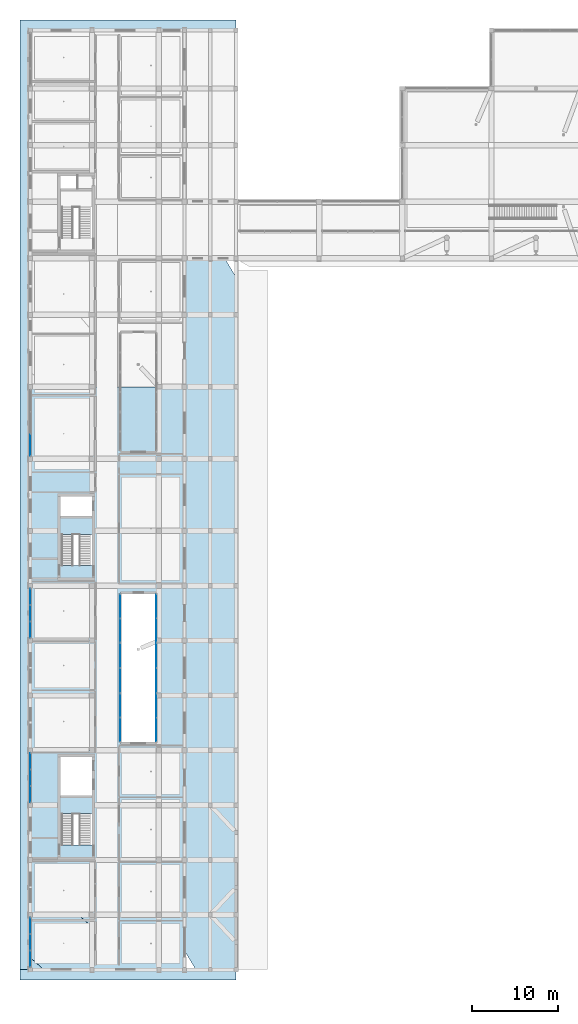
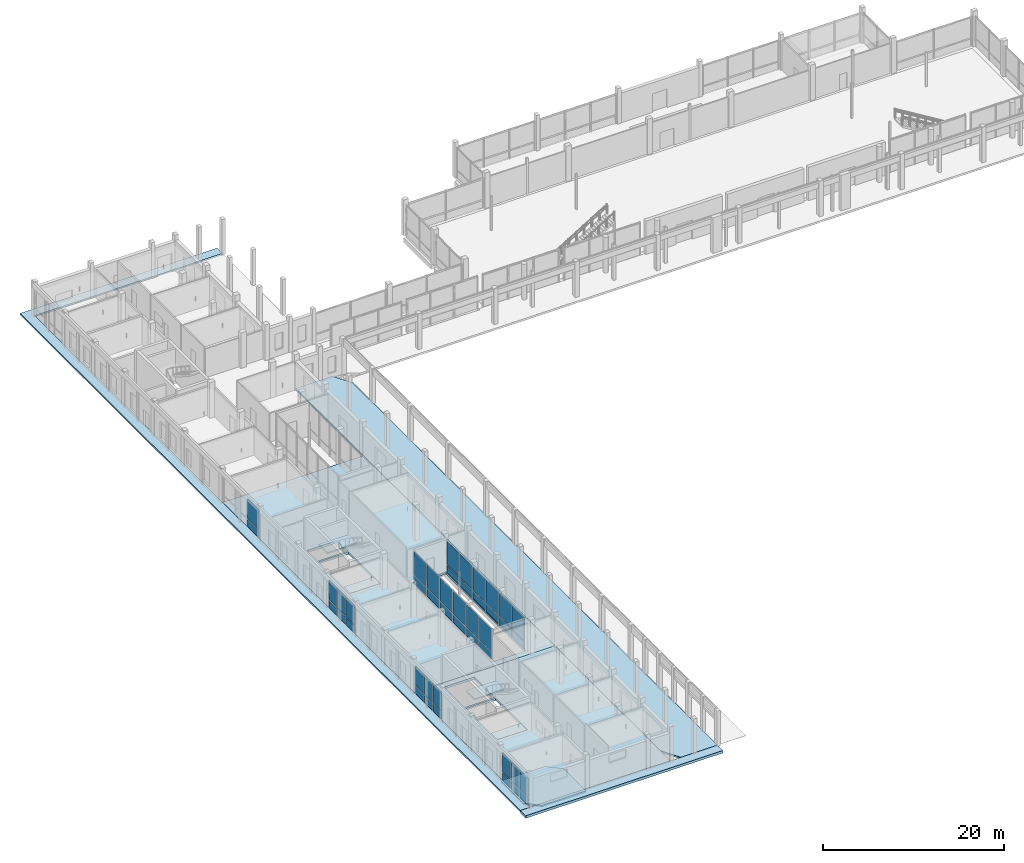
# One storey, part 40 of 88: 44 plates, 10 slabs, 12 elements without a shape of their own.
"""IFC4 building model written with IfcOpenShell, lengths in metres."""

from ifc_helpers import new_model, si_unit, derived_unit, direction, frame, origin, origin_2d, place, context, subcontext, project, spatial, polyline, rectangle, outline, extrude, material, layer, layer_set, type_object, element, aggregate, save


model = new_model("IFC4")

# Units and contexts
model_context = context("Model", 3, precision=1e-05, world=origin(), true_north=direction((0.0, 1.0)))
body_context = subcontext(model_context, "Body", "Model", "MODEL_VIEW")
ifc_project = project(units=[si_unit("LENGTHUNIT", "METRE"), si_unit("AREAUNIT", "SQUARE_METRE"), si_unit("VOLUMEUNIT", "CUBIC_METRE"), si_unit("PLANEANGLEUNIT", "RADIAN"), si_unit("MASSUNIT", "GRAM", prefix="KILO"), derived_unit("THERMALTRANSMITTANCEUNIT", [(si_unit("POWERUNIT", "WATT"), 1), (si_unit("LENGTHUNIT", "METRE"), -2), (si_unit("THERMODYNAMICTEMPERATUREUNIT", "KELVIN"), -1)])], contexts=[model_context])

# Site, building, storey
site_placement = place(None, origin())
site = spatial("IfcSite", under=ifc_project, at=site_placement, CompositionType="ELEMENT")
building_placement = place(site_placement, origin())
building = spatial("IfcBuilding", under=site, at=building_placement, Name="Braskholm Square Health Centre", CompositionType="ELEMENT")
storey_placement = place(building_placement, origin())
storey = spatial("IfcBuildingStorey", under=building, at=storey_placement, Name="L01", CompositionType="ELEMENT", Elevation=0.0)

# Slabs
ifc_material_1 = material(Name="Concrete C35/45 (f'c = 35 MPa)", Category="concrete")
ifc_layer_1 = layer(ifc_material_1, 0.340087890625)
ifc_layer_set_1 = layer_set([ifc_layer_1], Name="Concrete C35/45 (f'c = 35 MPa)")
slab_type_1 = type_object("IfcSlabType", Name="AmbulanceApronBaseSlab340", PredefinedType="BASESLAB", material=ifc_layer_set_1)
slab_1_placement = place(storey_placement, frame((0.0, 0.0, -0.340087890625)))
element("IfcSlab", 1, at=slab_1_placement, inside=storey, type_object=slab_type_1, Name="South ambulance entrance apron", PredefinedType="BASESLAB", context=body_context, shape_type="SweptSolid", body=[
    extrude(outline(polyline([(3.0, 3.0), (28.199951171875, 3.0), (28.199951171875, 4.199951171875), (3.0, 4.199951171875), (3.0, 3.0)])), origin(), (0.0, 0.0, 1.0), 0.340087890625),
])
ifc_material_2 = material(Name="Precast concrete C40/50 architectural white", Category="concrete")
ifc_layer_2 = layer(ifc_material_2, 0.22509765625)
ifc_layer_set_2 = layer_set([ifc_layer_2], Name="Precast concrete C40/50 architectural white")
slab_type_2 = type_object("IfcSlabType", Name="ColonnadeWalkwaySlab225", PredefinedType="FLOOR", material=ifc_layer_set_2)
slab_2_placement = place(storey_placement, frame((0.0, 0.0, -0.22509765625)))
element("IfcSlab", 2, at=slab_2_placement, inside=storey, type_object=slab_type_2, Name="West square Mankato-Kasota limestone colonnade walkway", PredefinedType="FLOOR", context=body_context, shape_type="SweptSolid", body=[
    extrude(outline(polyline([(23.52001953125, 4.199951171875), (28.199951171875, 4.199951171875), (28.199951171875, 85.0), (26.8798828125, 87.199951171875), (22.199951171875, 87.199951171875), (22.199951171875, 6.39990234375), (23.52001953125, 4.199951171875)])), origin(), (0.0, 0.0, 1.0), 0.22509765625),
])

# Curtain wall, plates
ifc_material_3 = material(Name="Low-E triple insulating glass (VLT 0.64)", Category="glass")
curtain_wall_type_1 = type_object("IfcCurtainWallType", Name="UnitisedCurtainWall6200x3800", PredefinedType="NOTDEFINED", material=ifc_material_3)
curtain_wall_1_placement = place(storey_placement, origin())
curtain_wall_1 = element("IfcCurtainWall", 3, at=curtain_wall_1_placement, inside=storey, type_object=curtain_wall_type_1, Name="West Storefront unitised curtain wall CW-L01-0001", PredefinedType="NOTDEFINED")
ifc_material_4 = material(Name="Architectural bronze anodised aluminium", Category="aluminium")
plate_type_1 = type_object("IfcPlateType", Name="CurtainPanelSpandrel1850x1020", PredefinedType="CURTAIN_PANEL", material=ifc_material_4)
plate_1_placement = place(storey_placement, frame((4.199951171875, 9.340087890625, 0.050048828125), z_axis=(0.0, 0.0, 1.0), x_axis=(0.0, -1.0, 0.0)))
plate_1 = element("IfcPlate", 4, at=plate_1_placement, type_object=plate_type_1, Name="CW-L01-0001 spandrel panel 1", PredefinedType="CURTAIN_PANEL", context=body_context, shape_type="SweptSolid", body=[
    extrude(rectangle(XDim=1.823486328125, YDim=0.035888671875, at=origin_2d()), origin(), (0.0, 0.0, 1.0), 1.02001953125),
])
plate_2_placement = place(storey_placement, frame((4.199951171875, 7.39990234375, 0.050048828125), z_axis=(0.0, 0.0, 1.0), x_axis=(0.0, -1.0, 0.0)))
plate_2 = element("IfcPlate", 5, at=plate_2_placement, type_object=plate_type_1, Name="CW-L01-0001 spandrel panel 2", PredefinedType="CURTAIN_PANEL", context=body_context, shape_type="SweptSolid", body=[
    extrude(rectangle(XDim=1.823486328125, YDim=0.035888671875, at=origin_2d()), origin(), (0.0, 0.0, 1.0), 1.02001953125),
])
plate_3_placement = place(storey_placement, frame((4.199951171875, 5.4599609375, 0.050048828125), z_axis=(0.0, 0.0, 1.0), x_axis=(0.0, -1.0, 0.0)))
plate_3 = element("IfcPlate", 6, at=plate_3_placement, type_object=plate_type_1, Name="CW-L01-0001 spandrel panel 3", PredefinedType="CURTAIN_PANEL", context=body_context, shape_type="SweptSolid", body=[
    extrude(rectangle(XDim=1.823486328125, YDim=0.035888671875, at=origin_2d()), origin(), (0.0, 0.0, 1.0), 1.02001953125),
])

curtain_wall_2_placement = place(storey_placement, origin())
curtain_wall_2 = element("IfcCurtainWall", 7, at=curtain_wall_2_placement, inside=storey, type_object=curtain_wall_type_1, Name="West Storefront unitised curtain wall CW-L01-0002", PredefinedType="NOTDEFINED")
plate_4_placement = place(storey_placement, frame((4.199951171875, 28.5400390625, 0.050048828125), z_axis=(0.0, 0.0, 1.0), x_axis=(0.0, -1.0, 0.0)))
plate_4 = element("IfcPlate", 8, at=plate_4_placement, type_object=plate_type_1, Name="CW-L01-0002 spandrel panel 1", PredefinedType="CURTAIN_PANEL", context=body_context, shape_type="SweptSolid", body=[
    extrude(rectangle(XDim=1.823486328125, YDim=0.035888671875, at=origin_2d()), origin(), (0.0, 0.0, 1.0), 1.02001953125),
])
plate_5_placement = place(storey_placement, frame((4.199951171875, 26.60009765625, 0.050048828125), z_axis=(0.0, 0.0, 1.0), x_axis=(0.0, -1.0, 0.0)))
plate_5 = element("IfcPlate", 9, at=plate_5_placement, type_object=plate_type_1, Name="CW-L01-0002 spandrel panel 2", PredefinedType="CURTAIN_PANEL", context=body_context, shape_type="SweptSolid", body=[
    extrude(rectangle(XDim=1.823486328125, YDim=0.035888671875, at=origin_2d()), origin(), (0.0, 0.0, 1.0), 1.02001953125),
])
plate_6_placement = place(storey_placement, frame((4.199951171875, 24.659912109375, 0.050048828125), z_axis=(0.0, 0.0, 1.0), x_axis=(0.0, -1.0, 0.0)))
plate_6 = element("IfcPlate", 10, at=plate_6_placement, type_object=plate_type_1, Name="CW-L01-0002 spandrel panel 3", PredefinedType="CURTAIN_PANEL", context=body_context, shape_type="SweptSolid", body=[
    extrude(rectangle(XDim=1.823486328125, YDim=0.035888671875, at=origin_2d()), origin(), (0.0, 0.0, 1.0), 1.02001953125),
])

curtain_wall_3_placement = place(storey_placement, origin())
curtain_wall_3 = element("IfcCurtainWall", 11, at=curtain_wall_3_placement, inside=storey, type_object=curtain_wall_type_1, Name="West Storefront unitised curtain wall CW-L01-0003", PredefinedType="NOTDEFINED")
plate_7_placement = place(storey_placement, frame((4.199951171875, 47.739990234375, 0.050048828125), z_axis=(0.0, 0.0, 1.0), x_axis=(0.0, -1.0, 0.0)))
plate_7 = element("IfcPlate", 12, at=plate_7_placement, type_object=plate_type_1, Name="CW-L01-0003 spandrel panel 1", PredefinedType="CURTAIN_PANEL", context=body_context, shape_type="SweptSolid", body=[
    extrude(rectangle(XDim=1.823486328125, YDim=0.035888671875, at=origin_2d()), origin(), (0.0, 0.0, 1.0), 1.02001953125),
])
plate_8_placement = place(storey_placement, frame((4.199951171875, 45.800048828125, 0.050048828125), z_axis=(0.0, 0.0, 1.0), x_axis=(0.0, -1.0, 0.0)))
plate_8 = element("IfcPlate", 13, at=plate_8_placement, type_object=plate_type_1, Name="CW-L01-0003 spandrel panel 2", PredefinedType="CURTAIN_PANEL", context=body_context, shape_type="SweptSolid", body=[
    extrude(rectangle(XDim=1.823486328125, YDim=0.035888671875, at=origin_2d()), origin(), (0.0, 0.0, 1.0), 1.02001953125),
])
plate_9_placement = place(storey_placement, frame((4.199951171875, 43.860107421875, 0.050048828125), z_axis=(0.0, 0.0, 1.0), x_axis=(0.0, -1.0, 0.0)))
plate_9 = element("IfcPlate", 14, at=plate_9_placement, type_object=plate_type_1, Name="CW-L01-0003 spandrel panel 3", PredefinedType="CURTAIN_PANEL", context=body_context, shape_type="SweptSolid", body=[
    extrude(rectangle(XDim=1.823486328125, YDim=0.035888671875, at=origin_2d()), origin(), (0.0, 0.0, 1.0), 1.02001953125),
])

# Curtain wall, plate
curtain_wall_type_2 = type_object("IfcCurtainWallType", Name="UnitisedCurtainWall6200x4100", PredefinedType="NOTDEFINED", material=ifc_material_3)
curtain_wall_4_placement = place(storey_placement, origin())
curtain_wall_4 = element("IfcCurtainWall", 15, at=curtain_wall_4_placement, inside=storey, type_object=curtain_wall_type_2, Name="West Storefront unitised curtain wall CW-L01-0004", PredefinedType="NOTDEFINED")
plate_type_2 = type_object("IfcPlateType", Name="CurtainPanelSpandrel2750x1020", PredefinedType="CURTAIN_PANEL", material=ifc_material_4)
plate_10_placement = place(storey_placement, frame((4.199951171875, 65.393310546875, 0.050048828125), z_axis=(0.0, 0.0, 1.0), x_axis=(0.0, -1.0, 0.0)))
plate_10 = element("IfcPlate", 16, at=plate_10_placement, type_object=plate_type_2, Name="CW-L01-0004 spandrel panel 3", PredefinedType="CURTAIN_PANEL", context=body_context, shape_type="SweptSolid", body=[
    extrude(rectangle(XDim=2.4501953125, YDim=0.035888671875, at=origin_2d()), origin(), (0.0, 0.0, 1.0), 1.02001953125),
])

# Curtain wall, plates
curtain_wall_type_3 = type_object("IfcCurtainWallType", Name="UnitisedCurtainWall5400x4400", PredefinedType="NOTDEFINED", material=ifc_material_3)
curtain_wall_5_placement = place(storey_placement, origin())
curtain_wall_5 = element("IfcCurtainWall", 17, at=curtain_wall_5_placement, inside=storey, type_object=curtain_wall_type_3, Name="WC1 Court W unitised curtain wall CW-L01-0249", PredefinedType="NOTDEFINED")
plate_11_placement = place(storey_placement, frame((14.699951171875, 32.187744140625, 0.050048828125), z_axis=(0.0, 0.0, 1.0), x_axis=(0.0, 1.0, 0.0)))
plate_11 = element("IfcPlate", 18, at=plate_11_placement, type_object=plate_type_2, Name="CW-L01-0249 spandrel panel 1", PredefinedType="CURTAIN_PANEL", context=body_context, shape_type="SweptSolid", body=[
    extrude(rectangle(XDim=2.689208984375, YDim=0.035888671875, at=origin_2d()), origin(), (0.0, 0.0, 1.0), 1.02001953125),
])
plate_12_placement = place(storey_placement, frame((14.699951171875, 35.014404296875, 0.050048828125), z_axis=(0.0, 0.0, 1.0), x_axis=(0.0, 1.0, 0.0)))
plate_12 = element("IfcPlate", 19, at=plate_12_placement, type_object=plate_type_2, Name="CW-L01-0249 spandrel panel 2", PredefinedType="CURTAIN_PANEL", context=body_context, shape_type="SweptSolid", body=[
    extrude(rectangle(XDim=2.689208984375, YDim=0.035888671875, at=origin_2d()), origin(), (0.0, 0.0, 1.0), 1.02001953125),
])

curtain_wall_6_placement = place(storey_placement, origin())
curtain_wall_6 = element("IfcCurtainWall", 20, at=curtain_wall_6_placement, inside=storey, type_object=curtain_wall_type_3, Name="WC1 Court E unitised curtain wall CW-L01-0250", PredefinedType="NOTDEFINED")
plate_13_placement = place(storey_placement, frame((18.89990234375, 35.014404296875, 0.050048828125), z_axis=(0.0, 0.0, 1.0), x_axis=(0.0, -1.0, 0.0)))
plate_13 = element("IfcPlate", 21, at=plate_13_placement, type_object=plate_type_2, Name="CW-L01-0250 spandrel panel 1", PredefinedType="CURTAIN_PANEL", context=body_context, shape_type="SweptSolid", body=[
    extrude(rectangle(XDim=2.689208984375, YDim=0.035888671875, at=origin_2d()), origin(), (0.0, 0.0, 1.0), 1.02001953125),
])
plate_14_placement = place(storey_placement, frame((18.89990234375, 32.187744140625, 0.050048828125), z_axis=(0.0, 0.0, 1.0), x_axis=(0.0, -1.0, 0.0)))
plate_14 = element("IfcPlate", 22, at=plate_14_placement, type_object=plate_type_2, Name="CW-L01-0250 spandrel panel 2", PredefinedType="CURTAIN_PANEL", context=body_context, shape_type="SweptSolid", body=[
    extrude(rectangle(XDim=2.689208984375, YDim=0.035888671875, at=origin_2d()), origin(), (0.0, 0.0, 1.0), 1.02001953125),
])

curtain_wall_type_4 = type_object("IfcCurtainWallType", Name="UnitisedCurtainWall6200x4400", PredefinedType="NOTDEFINED", material=ifc_material_3)
curtain_wall_7_placement = place(storey_placement, origin())
curtain_wall_7 = element("IfcCurtainWall", 23, at=curtain_wall_7_placement, inside=storey, type_object=curtain_wall_type_4, Name="WC1 Court W unitised curtain wall CW-L01-0251", PredefinedType="NOTDEFINED")
plate_15_placement = place(storey_placement, frame((14.699951171875, 37.95361328125, 0.050048828125), z_axis=(0.0, 0.0, 1.0), x_axis=(0.0, 1.0, 0.0)))
plate_15 = element("IfcPlate", 24, at=plate_15_placement, type_object=plate_type_2, Name="CW-L01-0251 spandrel panel 1", PredefinedType="CURTAIN_PANEL", context=body_context, shape_type="SweptSolid", body=[
    extrude(rectangle(XDim=2.752197265625, YDim=0.035888671875, at=origin_2d()), origin(), (0.0, 0.0, 1.0), 1.02001953125),
])
plate_16_placement = place(storey_placement, frame((14.699951171875, 40.846435546875, 0.050048828125), z_axis=(0.0, 0.0, 1.0), x_axis=(0.0, 1.0, 0.0)))
plate_16 = element("IfcPlate", 25, at=plate_16_placement, type_object=plate_type_2, Name="CW-L01-0251 spandrel panel 2", PredefinedType="CURTAIN_PANEL", context=body_context, shape_type="SweptSolid", body=[
    extrude(rectangle(XDim=2.752197265625, YDim=0.035888671875, at=origin_2d()), origin(), (0.0, 0.0, 1.0), 1.02001953125),
])

curtain_wall_8_placement = place(storey_placement, origin())
curtain_wall_8 = element("IfcCurtainWall", 26, at=curtain_wall_8_placement, inside=storey, type_object=curtain_wall_type_4, Name="WC1 Court E unitised curtain wall CW-L01-0252", PredefinedType="NOTDEFINED")
plate_17_placement = place(storey_placement, frame((18.89990234375, 40.846435546875, 0.050048828125), z_axis=(0.0, 0.0, 1.0), x_axis=(0.0, -1.0, 0.0)))
plate_17 = element("IfcPlate", 27, at=plate_17_placement, type_object=plate_type_2, Name="CW-L01-0252 spandrel panel 1", PredefinedType="CURTAIN_PANEL", context=body_context, shape_type="SweptSolid", body=[
    extrude(rectangle(XDim=2.752197265625, YDim=0.035888671875, at=origin_2d()), origin(), (0.0, 0.0, 1.0), 1.02001953125),
])
plate_18_placement = place(storey_placement, frame((18.89990234375, 37.95361328125, 0.050048828125), z_axis=(0.0, 0.0, 1.0), x_axis=(0.0, -1.0, 0.0)))
plate_18 = element("IfcPlate", 28, at=plate_18_placement, type_object=plate_type_2, Name="CW-L01-0252 spandrel panel 2", PredefinedType="CURTAIN_PANEL", context=body_context, shape_type="SweptSolid", body=[
    extrude(rectangle(XDim=2.752197265625, YDim=0.035888671875, at=origin_2d()), origin(), (0.0, 0.0, 1.0), 1.02001953125),
])

curtain_wall_9_placement = place(storey_placement, origin())
curtain_wall_9 = element("IfcCurtainWall", 29, at=curtain_wall_9_placement, inside=storey, type_object=curtain_wall_type_3, Name="WC1 Court W unitised curtain wall CW-L01-0253", PredefinedType="NOTDEFINED")
plate_19_placement = place(storey_placement, frame((14.699951171875, 43.78564453125, 0.050048828125), z_axis=(0.0, 0.0, 1.0), x_axis=(0.0, 1.0, 0.0)))
plate_19 = element("IfcPlate", 30, at=plate_19_placement, type_object=plate_type_2, Name="CW-L01-0253 spandrel panel 1", PredefinedType="CURTAIN_PANEL", context=body_context, shape_type="SweptSolid", body=[
    extrude(rectangle(XDim=2.689208984375, YDim=0.035888671875, at=origin_2d()), origin(), (0.0, 0.0, 1.0), 1.02001953125),
])
plate_20_placement = place(storey_placement, frame((14.699951171875, 46.6123046875, 0.050048828125), z_axis=(0.0, 0.0, 1.0), x_axis=(0.0, 1.0, 0.0)))
plate_20 = element("IfcPlate", 31, at=plate_20_placement, type_object=plate_type_2, Name="CW-L01-0253 spandrel panel 2", PredefinedType="CURTAIN_PANEL", context=body_context, shape_type="SweptSolid", body=[
    extrude(rectangle(XDim=2.689208984375, YDim=0.035888671875, at=origin_2d()), origin(), (0.0, 0.0, 1.0), 1.02001953125),
])

curtain_wall_10_placement = place(storey_placement, origin())
curtain_wall_10 = element("IfcCurtainWall", 32, at=curtain_wall_10_placement, inside=storey, type_object=curtain_wall_type_3, Name="WC1 Court E unitised curtain wall CW-L01-0254", PredefinedType="NOTDEFINED")
plate_21_placement = place(storey_placement, frame((18.89990234375, 46.6123046875, 0.050048828125), z_axis=(0.0, 0.0, 1.0), x_axis=(0.0, -1.0, 0.0)))
plate_21 = element("IfcPlate", 33, at=plate_21_placement, type_object=plate_type_2, Name="CW-L01-0254 spandrel panel 1", PredefinedType="CURTAIN_PANEL", context=body_context, shape_type="SweptSolid", body=[
    extrude(rectangle(XDim=2.689208984375, YDim=0.035888671875, at=origin_2d()), origin(), (0.0, 0.0, 1.0), 1.02001953125),
])
plate_22_placement = place(storey_placement, frame((18.89990234375, 43.78564453125, 0.050048828125), z_axis=(0.0, 0.0, 1.0), x_axis=(0.0, -1.0, 0.0)))
plate_22 = element("IfcPlate", 34, at=plate_22_placement, type_object=plate_type_2, Name="CW-L01-0254 spandrel panel 2", PredefinedType="CURTAIN_PANEL", context=body_context, shape_type="SweptSolid", body=[
    extrude(rectangle(XDim=2.689208984375, YDim=0.035888671875, at=origin_2d()), origin(), (0.0, 0.0, 1.0), 1.02001953125),
])

# Plate
plate_type_3 = type_object("IfcPlateType", Name="CurtainPanelVision1850x2520", PredefinedType="CURTAIN_PANEL", material=ifc_material_3)
plate_23_placement = place(storey_placement, frame((4.199951171875, 9.340087890625, 1.169921875), z_axis=(0.0, 0.0, 1.0), x_axis=(0.0, -1.0, 0.0)))
plate_23 = element("IfcPlate", 35, at=plate_23_placement, type_object=plate_type_3, Name="CW-L01-0001 vision glass panel 1", PredefinedType="CURTAIN_PANEL", context=body_context, shape_type="SweptSolid", body=[
    extrude(rectangle(XDim=1.823486328125, YDim=0.035888671875, at=origin_2d()), origin(), (0.0, 0.0, 1.0), 2.590087890625),
])

plate_24_placement = place(storey_placement, frame((4.199951171875, 7.39990234375, 1.169921875), z_axis=(0.0, 0.0, 1.0), x_axis=(0.0, -1.0, 0.0)))
plate_24 = element("IfcPlate", 36, at=plate_24_placement, type_object=plate_type_3, Name="CW-L01-0001 vision glass panel 2", PredefinedType="CURTAIN_PANEL", context=body_context, shape_type="SweptSolid", body=[
    extrude(rectangle(XDim=1.823486328125, YDim=0.035888671875, at=origin_2d()), origin(), (0.0, 0.0, 1.0), 2.590087890625),
])

plate_25_placement = place(storey_placement, frame((4.199951171875, 5.4599609375, 1.169921875), z_axis=(0.0, 0.0, 1.0), x_axis=(0.0, -1.0, 0.0)))
plate_25 = element("IfcPlate", 37, at=plate_25_placement, type_object=plate_type_3, Name="CW-L01-0001 vision glass panel 3", PredefinedType="CURTAIN_PANEL", context=body_context, shape_type="SweptSolid", body=[
    extrude(rectangle(XDim=1.823486328125, YDim=0.035888671875, at=origin_2d()), origin(), (0.0, 0.0, 1.0), 2.590087890625),
])

aggregate(curtain_wall_1, [plate_1, plate_23, plate_2, plate_24, plate_3, plate_25])

plate_26_placement = place(storey_placement, frame((4.199951171875, 28.5400390625, 1.169921875), z_axis=(0.0, 0.0, 1.0), x_axis=(0.0, -1.0, 0.0)))
plate_26 = element("IfcPlate", 38, at=plate_26_placement, type_object=plate_type_3, Name="CW-L01-0002 vision glass panel 1", PredefinedType="CURTAIN_PANEL", context=body_context, shape_type="SweptSolid", body=[
    extrude(rectangle(XDim=1.823486328125, YDim=0.035888671875, at=origin_2d()), origin(), (0.0, 0.0, 1.0), 2.590087890625),
])

plate_27_placement = place(storey_placement, frame((4.199951171875, 26.60009765625, 1.169921875), z_axis=(0.0, 0.0, 1.0), x_axis=(0.0, -1.0, 0.0)))
plate_27 = element("IfcPlate", 39, at=plate_27_placement, type_object=plate_type_3, Name="CW-L01-0002 vision glass panel 2", PredefinedType="CURTAIN_PANEL", context=body_context, shape_type="SweptSolid", body=[
    extrude(rectangle(XDim=1.823486328125, YDim=0.035888671875, at=origin_2d()), origin(), (0.0, 0.0, 1.0), 2.590087890625),
])

plate_28_placement = place(storey_placement, frame((4.199951171875, 24.659912109375, 1.169921875), z_axis=(0.0, 0.0, 1.0), x_axis=(0.0, -1.0, 0.0)))
plate_28 = element("IfcPlate", 40, at=plate_28_placement, type_object=plate_type_3, Name="CW-L01-0002 vision glass panel 3", PredefinedType="CURTAIN_PANEL", context=body_context, shape_type="SweptSolid", body=[
    extrude(rectangle(XDim=1.823486328125, YDim=0.035888671875, at=origin_2d()), origin(), (0.0, 0.0, 1.0), 2.590087890625),
])

aggregate(curtain_wall_2, [plate_4, plate_26, plate_5, plate_27, plate_6, plate_28])

plate_29_placement = place(storey_placement, frame((4.199951171875, 47.739990234375, 1.169921875), z_axis=(0.0, 0.0, 1.0), x_axis=(0.0, -1.0, 0.0)))
plate_29 = element("IfcPlate", 41, at=plate_29_placement, type_object=plate_type_3, Name="CW-L01-0003 vision glass panel 1", PredefinedType="CURTAIN_PANEL", context=body_context, shape_type="SweptSolid", body=[
    extrude(rectangle(XDim=1.823486328125, YDim=0.035888671875, at=origin_2d()), origin(), (0.0, 0.0, 1.0), 2.590087890625),
])

plate_30_placement = place(storey_placement, frame((4.199951171875, 45.800048828125, 1.169921875), z_axis=(0.0, 0.0, 1.0), x_axis=(0.0, -1.0, 0.0)))
plate_30 = element("IfcPlate", 42, at=plate_30_placement, type_object=plate_type_3, Name="CW-L01-0003 vision glass panel 2", PredefinedType="CURTAIN_PANEL", context=body_context, shape_type="SweptSolid", body=[
    extrude(rectangle(XDim=1.823486328125, YDim=0.035888671875, at=origin_2d()), origin(), (0.0, 0.0, 1.0), 2.590087890625),
])

plate_31_placement = place(storey_placement, frame((4.199951171875, 43.860107421875, 1.169921875), z_axis=(0.0, 0.0, 1.0), x_axis=(0.0, -1.0, 0.0)))
plate_31 = element("IfcPlate", 43, at=plate_31_placement, type_object=plate_type_3, Name="CW-L01-0003 vision glass panel 3", PredefinedType="CURTAIN_PANEL", context=body_context, shape_type="SweptSolid", body=[
    extrude(rectangle(XDim=1.823486328125, YDim=0.035888671875, at=origin_2d()), origin(), (0.0, 0.0, 1.0), 2.590087890625),
])

aggregate(curtain_wall_3, [plate_7, plate_29, plate_8, plate_30, plate_9, plate_31])

plate_type_4 = type_object("IfcPlateType", Name="CurtainPanelVision2750x2520", PredefinedType="CURTAIN_PANEL", material=ifc_material_3)
plate_32_placement = place(storey_placement, frame((4.199951171875, 65.393310546875, 1.169921875), z_axis=(0.0, 0.0, 1.0), x_axis=(0.0, -1.0, 0.0)))
plate_32 = element("IfcPlate", 44, at=plate_32_placement, type_object=plate_type_4, Name="CW-L01-0004 vision glass panel 3", PredefinedType="CURTAIN_PANEL", context=body_context, shape_type="SweptSolid", body=[
    extrude(rectangle(XDim=2.4501953125, YDim=0.035888671875, at=origin_2d()), origin(), (0.0, 0.0, 1.0), 2.669921875),
])

aggregate(curtain_wall_4, [plate_10, plate_32])

plate_type_5 = type_object("IfcPlateType", Name="CurtainPanelVision2750x2950", PredefinedType="CURTAIN_PANEL", material=ifc_material_3)
plate_33_placement = place(storey_placement, frame((14.699951171875, 32.187744140625, 1.169921875), z_axis=(0.0, 0.0, 1.0), x_axis=(0.0, 1.0, 0.0)))
plate_33 = element("IfcPlate", 45, at=plate_33_placement, type_object=plate_type_5, Name="CW-L01-0249 vision glass panel 1", PredefinedType="CURTAIN_PANEL", context=body_context, shape_type="SweptSolid", body=[
    extrude(rectangle(XDim=2.689208984375, YDim=0.035888671875, at=origin_2d()), origin(), (0.0, 0.0, 1.0), 3.139892578125),
])

plate_34_placement = place(storey_placement, frame((14.699951171875, 35.014404296875, 1.169921875), z_axis=(0.0, 0.0, 1.0), x_axis=(0.0, 1.0, 0.0)))
plate_34 = element("IfcPlate", 46, at=plate_34_placement, type_object=plate_type_5, Name="CW-L01-0249 vision glass panel 2", PredefinedType="CURTAIN_PANEL", context=body_context, shape_type="SweptSolid", body=[
    extrude(rectangle(XDim=2.689208984375, YDim=0.035888671875, at=origin_2d()), origin(), (0.0, 0.0, 1.0), 3.139892578125),
])

aggregate(curtain_wall_5, [plate_11, plate_33, plate_12, plate_34])

plate_35_placement = place(storey_placement, frame((18.89990234375, 35.014404296875, 1.169921875), z_axis=(0.0, 0.0, 1.0), x_axis=(0.0, -1.0, 0.0)))
plate_35 = element("IfcPlate", 47, at=plate_35_placement, type_object=plate_type_5, Name="CW-L01-0250 vision glass panel 1", PredefinedType="CURTAIN_PANEL", context=body_context, shape_type="SweptSolid", body=[
    extrude(rectangle(XDim=2.689208984375, YDim=0.035888671875, at=origin_2d()), origin(), (0.0, 0.0, 1.0), 3.139892578125),
])

plate_36_placement = place(storey_placement, frame((18.89990234375, 32.187744140625, 1.169921875), z_axis=(0.0, 0.0, 1.0), x_axis=(0.0, -1.0, 0.0)))
plate_36 = element("IfcPlate", 48, at=plate_36_placement, type_object=plate_type_5, Name="CW-L01-0250 vision glass panel 2", PredefinedType="CURTAIN_PANEL", context=body_context, shape_type="SweptSolid", body=[
    extrude(rectangle(XDim=2.689208984375, YDim=0.035888671875, at=origin_2d()), origin(), (0.0, 0.0, 1.0), 3.139892578125),
])

aggregate(curtain_wall_6, [plate_13, plate_35, plate_14, plate_36])

plate_37_placement = place(storey_placement, frame((14.699951171875, 37.95361328125, 1.169921875), z_axis=(0.0, 0.0, 1.0), x_axis=(0.0, 1.0, 0.0)))
plate_37 = element("IfcPlate", 49, at=plate_37_placement, type_object=plate_type_5, Name="CW-L01-0251 vision glass panel 1", PredefinedType="CURTAIN_PANEL", context=body_context, shape_type="SweptSolid", body=[
    extrude(rectangle(XDim=2.752197265625, YDim=0.035888671875, at=origin_2d()), origin(), (0.0, 0.0, 1.0), 3.139892578125),
])

plate_38_placement = place(storey_placement, frame((14.699951171875, 40.846435546875, 1.169921875), z_axis=(0.0, 0.0, 1.0), x_axis=(0.0, 1.0, 0.0)))
plate_38 = element("IfcPlate", 50, at=plate_38_placement, type_object=plate_type_5, Name="CW-L01-0251 vision glass panel 2", PredefinedType="CURTAIN_PANEL", context=body_context, shape_type="SweptSolid", body=[
    extrude(rectangle(XDim=2.752197265625, YDim=0.035888671875, at=origin_2d()), origin(), (0.0, 0.0, 1.0), 3.139892578125),
])

aggregate(curtain_wall_7, [plate_15, plate_37, plate_16, plate_38])

plate_39_placement = place(storey_placement, frame((18.89990234375, 40.846435546875, 1.169921875), z_axis=(0.0, 0.0, 1.0), x_axis=(0.0, -1.0, 0.0)))
plate_39 = element("IfcPlate", 51, at=plate_39_placement, type_object=plate_type_5, Name="CW-L01-0252 vision glass panel 1", PredefinedType="CURTAIN_PANEL", context=body_context, shape_type="SweptSolid", body=[
    extrude(rectangle(XDim=2.752197265625, YDim=0.035888671875, at=origin_2d()), origin(), (0.0, 0.0, 1.0), 3.139892578125),
])

plate_40_placement = place(storey_placement, frame((18.89990234375, 37.95361328125, 1.169921875), z_axis=(0.0, 0.0, 1.0), x_axis=(0.0, -1.0, 0.0)))
plate_40 = element("IfcPlate", 52, at=plate_40_placement, type_object=plate_type_5, Name="CW-L01-0252 vision glass panel 2", PredefinedType="CURTAIN_PANEL", context=body_context, shape_type="SweptSolid", body=[
    extrude(rectangle(XDim=2.752197265625, YDim=0.035888671875, at=origin_2d()), origin(), (0.0, 0.0, 1.0), 3.139892578125),
])

aggregate(curtain_wall_8, [plate_17, plate_39, plate_18, plate_40])

plate_41_placement = place(storey_placement, frame((14.699951171875, 43.78564453125, 1.169921875), z_axis=(0.0, 0.0, 1.0), x_axis=(0.0, 1.0, 0.0)))
plate_41 = element("IfcPlate", 53, at=plate_41_placement, type_object=plate_type_5, Name="CW-L01-0253 vision glass panel 1", PredefinedType="CURTAIN_PANEL", context=body_context, shape_type="SweptSolid", body=[
    extrude(rectangle(XDim=2.689208984375, YDim=0.035888671875, at=origin_2d()), origin(), (0.0, 0.0, 1.0), 3.139892578125),
])

plate_42_placement = place(storey_placement, frame((14.699951171875, 46.6123046875, 1.169921875), z_axis=(0.0, 0.0, 1.0), x_axis=(0.0, 1.0, 0.0)))
plate_42 = element("IfcPlate", 54, at=plate_42_placement, type_object=plate_type_5, Name="CW-L01-0253 vision glass panel 2", PredefinedType="CURTAIN_PANEL", context=body_context, shape_type="SweptSolid", body=[
    extrude(rectangle(XDim=2.689208984375, YDim=0.035888671875, at=origin_2d()), origin(), (0.0, 0.0, 1.0), 3.139892578125),
])

aggregate(curtain_wall_9, [plate_19, plate_41, plate_20, plate_42])

plate_43_placement = place(storey_placement, frame((18.89990234375, 46.6123046875, 1.169921875), z_axis=(0.0, 0.0, 1.0), x_axis=(0.0, -1.0, 0.0)))
plate_43 = element("IfcPlate", 55, at=plate_43_placement, type_object=plate_type_5, Name="CW-L01-0254 vision glass panel 1", PredefinedType="CURTAIN_PANEL", context=body_context, shape_type="SweptSolid", body=[
    extrude(rectangle(XDim=2.689208984375, YDim=0.035888671875, at=origin_2d()), origin(), (0.0, 0.0, 1.0), 3.139892578125),
])

plate_44_placement = place(storey_placement, frame((18.89990234375, 43.78564453125, 1.169921875), z_axis=(0.0, 0.0, 1.0), x_axis=(0.0, -1.0, 0.0)))
plate_44 = element("IfcPlate", 56, at=plate_44_placement, type_object=plate_type_5, Name="CW-L01-0254 vision glass panel 2", PredefinedType="CURTAIN_PANEL", context=body_context, shape_type="SweptSolid", body=[
    extrude(rectangle(XDim=2.689208984375, YDim=0.035888671875, at=origin_2d()), origin(), (0.0, 0.0, 1.0), 3.139892578125),
])

aggregate(curtain_wall_10, [plate_21, plate_43, plate_22, plate_44])

# Slabs
ifc_layer_3 = layer(ifc_material_2, 0.2099609375)
ifc_layer_set_3 = layer_set([ifc_layer_3], Name="Precast concrete C40/50 architectural white")
slab_type_3 = type_object("IfcSlabType", Name="PitchedAndCrownRoofSlab150", PredefinedType="ROOF", material=ifc_layer_set_3)
slab_3_placement = place(storey_placement, frame((0.0, 0.0, -0.2099609375)))
element("IfcSlab", 57, at=slab_3_placement, inside=storey, type_object=slab_type_3, Name="West outer giant-order frame granite plinth", PredefinedType="ROOF", context=body_context, shape_type="SweptSolid", body=[
    extrude(outline(polyline([(3.0, 4.199951171875), (4.199951171875, 4.199951171875), (4.199951171875, 113.800048828125), (28.199951171875, 113.800048828125), (28.199951171875, 115.0), (3.0, 115.0), (3.0, 4.199951171875)])), origin(), (0.0, 0.0, 1.0), 0.2099609375),
])
ifc_layer_4 = layer(ifc_material_1, 0.199951171875)
ifc_layer_set_4 = layer_set([ifc_layer_4], Name="Concrete C35/45 (f'c = 35 MPa)")
slab_type_4 = type_object("IfcSlabType", Name="PunchingDropPanel200", PredefinedType="USERDEFINED", material=ifc_layer_set_4)
slab_4_placement = place(storey_placement, frame((0.0, 0.0, -0.5)))
element("IfcSlab", 58, at=slab_4_placement, inside=storey, type_object=slab_type_4, Name="Thickened vibration drop panel 001 L01", ObjectType="DROPPANEL", PredefinedType="USERDEFINED", context=body_context, shape_type="SweptSolid", body=[
    extrude(outline(polyline([(5.783935546875, 4.199951171875), (11.39990234375, 4.199951171875), (11.39990234375, 9.19189453125), (9.81591796875, 10.60009765625), (4.199951171875, 10.60009765625), (4.199951171875, 5.60791015625), (5.783935546875, 4.199951171875)])), origin(), (0.0, 0.0, 1.0), 0.199951171875),
])

# Stair, slabs
stair_type = type_object("IfcStairType", Name="ExitReturnStairL01", PredefinedType="HALF_TURN_STAIR", material=ifc_material_1)
stair_1_placement = place(storey_placement, origin())
stair_1 = element("IfcStair", 59, at=stair_1_placement, inside=storey, type_object=stair_type, Name="Enclosed exit stair ST-01 L01 to L02", PredefinedType="HALF_TURN_STAIR")
ifc_layer_5 = layer(ifc_material_1, 0.179931640625)
ifc_layer_set_5 = layer_set([ifc_layer_5], Name="Concrete C35/45 (f'c = 35 MPa)")
slab_type_5 = type_object("IfcSlabType", Name="StairLandingSlab180", PredefinedType="LANDING", material=ifc_layer_set_5)
slab_5_placement = place(storey_placement, frame((0.0, 0.0, 2.219970703125)))
slab_5 = element("IfcSlab", 60, at=slab_5_placement, type_object=slab_type_5, Name="Stair ST-01 half-landing L01", PredefinedType="LANDING", context=body_context, shape_type="SweptSolid", body=[
    extrude(outline(polyline([(7.64990234375, 22.39990234375), (11.449951171875, 22.39990234375), (11.449951171875, 24.300048828125), (7.64990234375, 24.300048828125), (7.64990234375, 22.39990234375)])), origin(), (0.0, 0.0, 1.0), 0.179931640625),
])
slab_6_placement = place(storey_placement, frame((0.0, 0.0, -0.179931640625)))
slab_6 = element("IfcSlab", 61, at=slab_6_placement, type_object=slab_type_5, Name="Stair ST-01 floor landing L01", PredefinedType="LANDING", context=body_context, shape_type="SweptSolid", body=[
    extrude(outline(polyline([(7.64990234375, 17.300048828125), (11.449951171875, 17.300048828125), (11.449951171875, 18.760009765625), (7.64990234375, 18.760009765625), (7.64990234375, 17.300048828125)])), origin(), (0.0, 0.0, 1.0), 0.179931640625),
])
aggregate(stair_1, [slab_5, slab_6])

stair_2_placement = place(storey_placement, origin())
stair_2 = element("IfcStair", 62, at=stair_2_placement, inside=storey, type_object=stair_type, Name="Enclosed exit stair ST-02 L01 to L02", PredefinedType="HALF_TURN_STAIR")
slab_7_placement = place(storey_placement, frame((0.0, 0.0, 2.219970703125)))
slab_7 = element("IfcSlab", 63, at=slab_7_placement, type_object=slab_type_5, Name="Stair ST-02 half-landing L01", PredefinedType="LANDING", context=body_context, shape_type="SweptSolid", body=[
    extrude(outline(polyline([(7.64990234375, 55.0), (11.449951171875, 55.0), (11.449951171875, 56.89990234375), (7.64990234375, 56.89990234375), (7.64990234375, 55.0)])), origin(), (0.0, 0.0, 1.0), 0.179931640625),
])
slab_8_placement = place(storey_placement, frame((0.0, 0.0, -0.179931640625)))
slab_8 = element("IfcSlab", 64, at=slab_8_placement, type_object=slab_type_5, Name="Stair ST-02 floor landing L01", PredefinedType="LANDING", context=body_context, shape_type="SweptSolid", body=[
    extrude(outline(polyline([(7.64990234375, 49.89990234375), (11.449951171875, 49.89990234375), (11.449951171875, 51.360107421875), (7.64990234375, 51.360107421875), (7.64990234375, 49.89990234375)])), origin(), (0.0, 0.0, 1.0), 0.179931640625),
])
aggregate(stair_2, [slab_7, slab_8])

# Slabs
ifc_layer_6 = layer(ifc_material_1, 0.300048828125)
ifc_layer_set_6 = layer_set([ifc_layer_6], Name="Concrete C35/45 (f'c = 35 MPa)")
slab_type_6 = type_object("IfcSlabType", Name="TwoWayClinicalFlatSlab300", PredefinedType="FLOOR", material=ifc_layer_set_6)
slab_9_placement = place(storey_placement, frame((0.0, 0.0, -0.300048828125)))
element("IfcSlab", 65, at=slab_9_placement, inside=storey, type_object=slab_type_6, Name="Level L01 V2 Day Surgery triage and ambulance bay slab", PredefinedType="FLOOR", context=body_context, shape_type="SweptSolid", body=[
    extrude(outline(polyline([(4.199951171875, 4.199951171875), (22.199951171875, 4.199951171875), (22.199951171875, 29.800048828125), (4.199951171875, 29.800048828125), (4.199951171875, 4.199951171875)]), holes=[polyline([(7.6298828125, 17.280029296875), (11.469970703125, 17.280029296875), (11.469970703125, 24.320068359375), (7.6298828125, 24.320068359375), (7.6298828125, 17.280029296875)]), polyline([(7.6298828125, 24.550048828125), (11.469970703125, 24.550048828125), (11.469970703125, 29.050048828125), (7.6298828125, 29.050048828125), (7.6298828125, 24.550048828125)])]), origin(), (0.0, 0.0, 1.0), 0.300048828125),
])
slab_10_placement = place(storey_placement, frame((0.0, 0.0, -0.300048828125)))
element("IfcSlab", 66, at=slab_10_placement, inside=storey, type_object=slab_type_6, Name="Level L01 V4W West consulting wing slab", PredefinedType="FLOOR", context=body_context, shape_type="SweptSolid", body=[
    extrude(outline(polyline([(4.199951171875, 29.800048828125), (22.199951171875, 29.800048828125), (22.199951171875, 72.199951171875), (4.199951171875, 72.199951171875), (4.199951171875, 29.800048828125)]), holes=[polyline([(7.6298828125, 49.8798828125), (11.469970703125, 49.8798828125), (11.469970703125, 56.919921875), (7.6298828125, 56.919921875), (7.6298828125, 49.8798828125)]), polyline([(7.6298828125, 57.14990234375), (11.469970703125, 57.14990234375), (11.469970703125, 59.449951171875), (7.6298828125, 59.449951171875), (7.6298828125, 57.14990234375)]), polyline([(14.699951171875, 30.60009765625), (18.89990234375, 30.60009765625), (18.89990234375, 48.199951171875), (14.699951171875, 48.199951171875), (14.699951171875, 30.60009765625)])]), origin(), (0.0, 0.0, 1.0), 0.300048828125),
])

save(model, "model.ifc")
